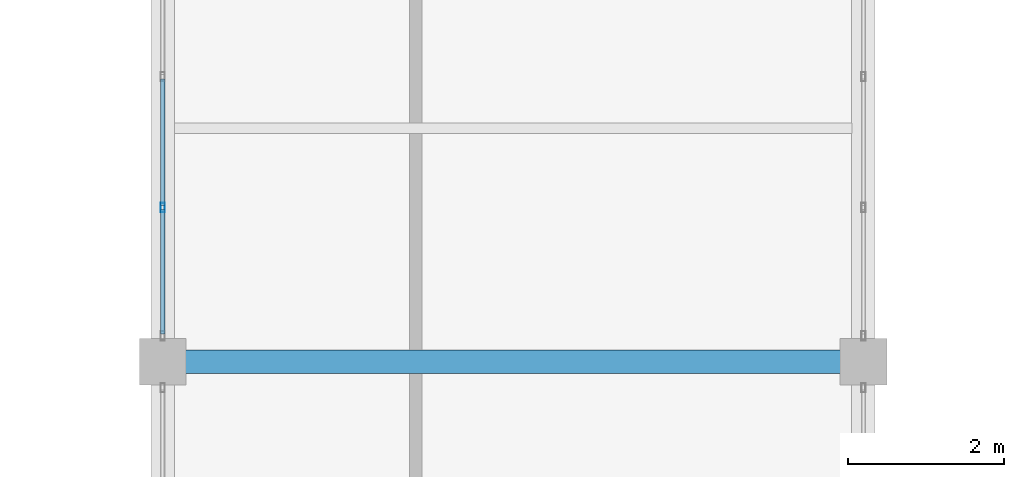
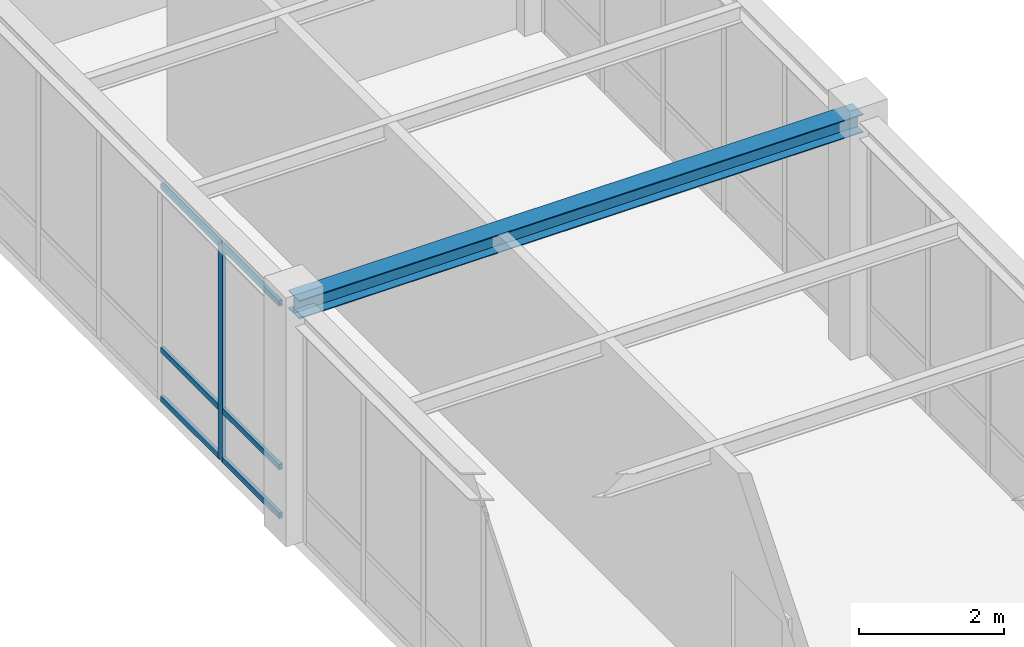
# One storey, part 30 of 130: 7 members, 1 beam, 1 element without a shape of its own.
"""IFC4 building model written with IfcOpenShell, lengths in metres."""

from ifc_helpers import new_model, si_unit, direction, frame, origin, origin_2d, place, context, subcontext, project, spatial, hollow_rectangle, i_section, extrude, material, material_profile, profile_set, type_object, element, aggregate, save


model = new_model("IFC4")

# Units and contexts
model_context = context("Model", 3, precision=1e-05, world=origin(), true_north=direction((0.0, 1.0)))
body_context = subcontext(model_context, "Body", "Model", "MODEL_VIEW")
ifc_project = project(units=[si_unit("LENGTHUNIT", "METRE"), si_unit("AREAUNIT", "SQUARE_METRE"), si_unit("VOLUMEUNIT", "CUBIC_METRE"), si_unit("PLANEANGLEUNIT", "RADIAN"), si_unit("MASSUNIT", "GRAM", prefix="KILO")], contexts=[model_context])

# Site, building, storey
site_placement = place(None, origin())
site = spatial("IfcSite", under=ifc_project, at=site_placement, CompositionType="ELEMENT")
building_placement = place(site_placement, origin())
building = spatial("IfcBuilding", under=site, at=building_placement, Name="Lykobir Media Centre", CompositionType="ELEMENT")
storey_placement = place(building_placement, frame((0.0, 0.0, 19.199951171875)))
storey = spatial("IfcBuildingStorey", under=building, at=storey_placement, Name="L04", CompositionType="ELEMENT", Elevation=19.199951171875)

# Beam
ifc_material_1 = material(Name="Steel S355", Category="steel")
ifc_material_profile_1 = material_profile(ifc_material_1, i_section(OverallWidth=0.300048828125, OverallDepth=0.31005859375, WebThickness=0.009033203125, FlangeThickness=0.015380859375, at=origin_2d()), Name="HEA 320")
ifc_profile_set_1 = profile_set([ifc_material_profile_1], Name="Steel S355")
beam_type = type_object("IfcBeamType", Name="BM-HEA320", PredefinedType="BEAM", material=ifc_profile_set_1)
beam_placement = place(storey_placement, frame((27.0, 54.0, 3.804931640625), z_axis=(1.0, 0.0, 0.0), x_axis=(0.0, 1.0, 0.0)))
element("IfcBeam", 1, at=beam_placement, inside=storey, type_object=beam_type, Name="Beam BM-L04-0270-0540-0360-0540-2300", PredefinedType="BEAM", context=body_context, shape_type="SweptSolid", body=[
    extrude(i_section(OverallWidth=0.300048828125, OverallDepth=0.31005859375, WebThickness=0.009033203125, FlangeThickness=0.015380859375, at=origin_2d()), origin(), (0.0, 0.0, 1.0), 9.0),
])

# Curtain wall, members
ifc_material_2 = material(Name="Anodized Aluminium AW-6060", Category="aluminium")
curtain_wall_type = type_object("IfcCurtainWallType", Name="CW-COURT-B", PredefinedType="NOTDEFINED", material=ifc_material_2)
curtain_wall_placement = place(storey_placement, origin())
curtain_wall = element("IfcCurtainWall", 2, at=curtain_wall_placement, inside=storey, type_object=curtain_wall_type, Name="Curtain wall CW2-L04-0168", PredefinedType="NOTDEFINED")
ifc_material_profile_2 = material_profile(ifc_material_2, hollow_rectangle(XDim=0.054931640625, YDim=0.1201171875, WallThickness=0.003173828125, at=origin_2d()), Name="ALU MULLION 55x120")
ifc_profile_set_2 = profile_set([ifc_material_profile_2], Name="Anodized Aluminium AW-6060")
member_type_1 = type_object("IfcMemberType", Name="CWM-120", PredefinedType="MULLION", material=ifc_profile_set_2)
member_1_placement = place(storey_placement, frame((27.0, 55.98291015625, 0.0), z_axis=(0.0, 0.0, 1.0), x_axis=(-1.0, 0.0, 0.0)))
member_1 = element("IfcMember", 3, at=member_1_placement, type_object=member_type_1, Name="CW2-L04-0168 mullion 2", PredefinedType="MULLION", context=body_context, shape_type="SweptSolid", body=[
    extrude(hollow_rectangle(XDim=0.054931640625, YDim=0.1201171875, WallThickness=0.003173828125, at=origin_2d()), origin(), (0.0, 0.0, 1.0), 3.635009765625),
])
ifc_material_profile_3 = material_profile(ifc_material_2, hollow_rectangle(XDim=0.054931640625, YDim=0.094970703125, WallThickness=0.0029296875, at=origin_2d()), Name="ALU TRANSOM 55x95")
ifc_profile_set_3 = profile_set([ifc_material_profile_3], Name="Anodized Aluminium AW-6060")
member_type_2 = type_object("IfcMemberType", Name="CWT-095", PredefinedType="USERDEFINED", material=ifc_profile_set_3)
member_2_placement = place(storey_placement, frame((27.0, 54.360107421875, 0.027587890625), z_axis=(0.0, 1.0, 0.0), x_axis=(-1.0, 0.0, 0.0)))
member_2 = element("IfcMember", 4, at=member_2_placement, type_object=member_type_2, Name="CW2-L04-0168 transom 1.1", ObjectType="TRANSOM", PredefinedType="USERDEFINED", context=body_context, shape_type="SweptSolid", body=[
    extrude(hollow_rectangle(XDim=0.054931640625, YDim=0.094970703125, WallThickness=0.0029296875, at=origin_2d()), origin(), (0.0, 0.0, 1.0), 1.595458984375),
])
member_3_placement = place(storey_placement, frame((27.0, 54.360107421875, 0.85009765625), z_axis=(0.0, 1.0, 0.0), x_axis=(-1.0, 0.0, 0.0)))
member_3 = element("IfcMember", 5, at=member_3_placement, type_object=member_type_2, Name="CW2-L04-0168 transom 1.2", ObjectType="TRANSOM", PredefinedType="USERDEFINED", context=body_context, shape_type="SweptSolid", body=[
    extrude(hollow_rectangle(XDim=0.054931640625, YDim=0.094970703125, WallThickness=0.0029296875, at=origin_2d()), origin(), (0.0, 0.0, 1.0), 1.595458984375),
])
member_4_placement = place(storey_placement, frame((27.0, 54.360107421875, 3.607666015625), z_axis=(0.0, 1.0, 0.0), x_axis=(-1.0, 0.0, 0.0)))
member_4 = element("IfcMember", 6, at=member_4_placement, type_object=member_type_2, Name="CW2-L04-0168 transom 1.3", ObjectType="TRANSOM", PredefinedType="USERDEFINED", context=body_context, shape_type="SweptSolid", body=[
    extrude(hollow_rectangle(XDim=0.054931640625, YDim=0.094970703125, WallThickness=0.0029296875, at=origin_2d()), origin(), (0.0, 0.0, 1.0), 1.595458984375),
])
member_5_placement = place(storey_placement, frame((27.0, 56.010498046875, 0.027587890625), z_axis=(0.0, 1.0, 0.0), x_axis=(-1.0, 0.0, 0.0)))
member_5 = element("IfcMember", 7, at=member_5_placement, type_object=member_type_2, Name="CW2-L04-0168 transom 2.1", ObjectType="TRANSOM", PredefinedType="USERDEFINED", context=body_context, shape_type="SweptSolid", body=[
    extrude(hollow_rectangle(XDim=0.054931640625, YDim=0.094970703125, WallThickness=0.0029296875, at=origin_2d()), origin(), (0.0, 0.0, 1.0), 1.623046875),
])
member_6_placement = place(storey_placement, frame((27.0, 56.010498046875, 0.85009765625), z_axis=(0.0, 1.0, 0.0), x_axis=(-1.0, 0.0, 0.0)))
member_6 = element("IfcMember", 8, at=member_6_placement, type_object=member_type_2, Name="CW2-L04-0168 transom 2.2", ObjectType="TRANSOM", PredefinedType="USERDEFINED", context=body_context, shape_type="SweptSolid", body=[
    extrude(hollow_rectangle(XDim=0.054931640625, YDim=0.094970703125, WallThickness=0.0029296875, at=origin_2d()), origin(), (0.0, 0.0, 1.0), 1.623046875),
])
member_7_placement = place(storey_placement, frame((27.0, 56.010498046875, 3.607666015625), z_axis=(0.0, 1.0, 0.0), x_axis=(-1.0, 0.0, 0.0)))
member_7 = element("IfcMember", 9, at=member_7_placement, type_object=member_type_2, Name="CW2-L04-0168 transom 2.3", ObjectType="TRANSOM", PredefinedType="USERDEFINED", context=body_context, shape_type="SweptSolid", body=[
    extrude(hollow_rectangle(XDim=0.054931640625, YDim=0.094970703125, WallThickness=0.0029296875, at=origin_2d()), origin(), (0.0, 0.0, 1.0), 1.623046875),
])
aggregate(curtain_wall, [member_1, member_2, member_3, member_4, member_5, member_6, member_7])

save(model, "model.ifc")
